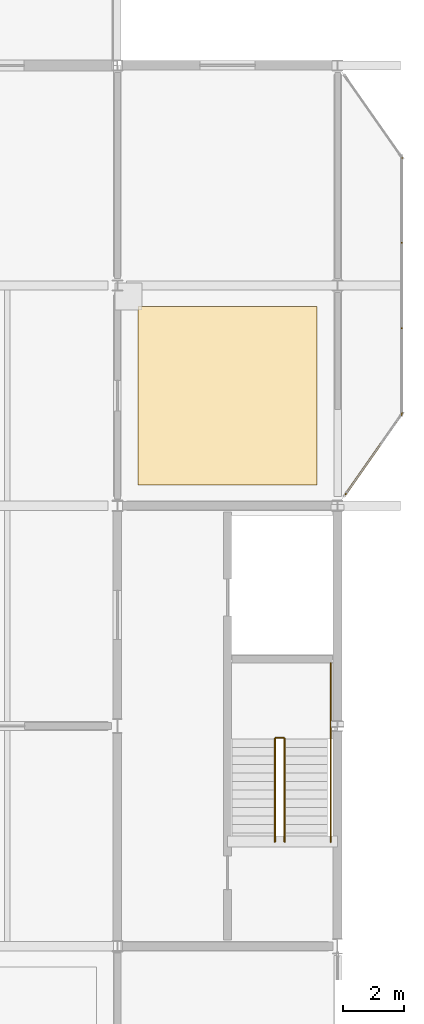
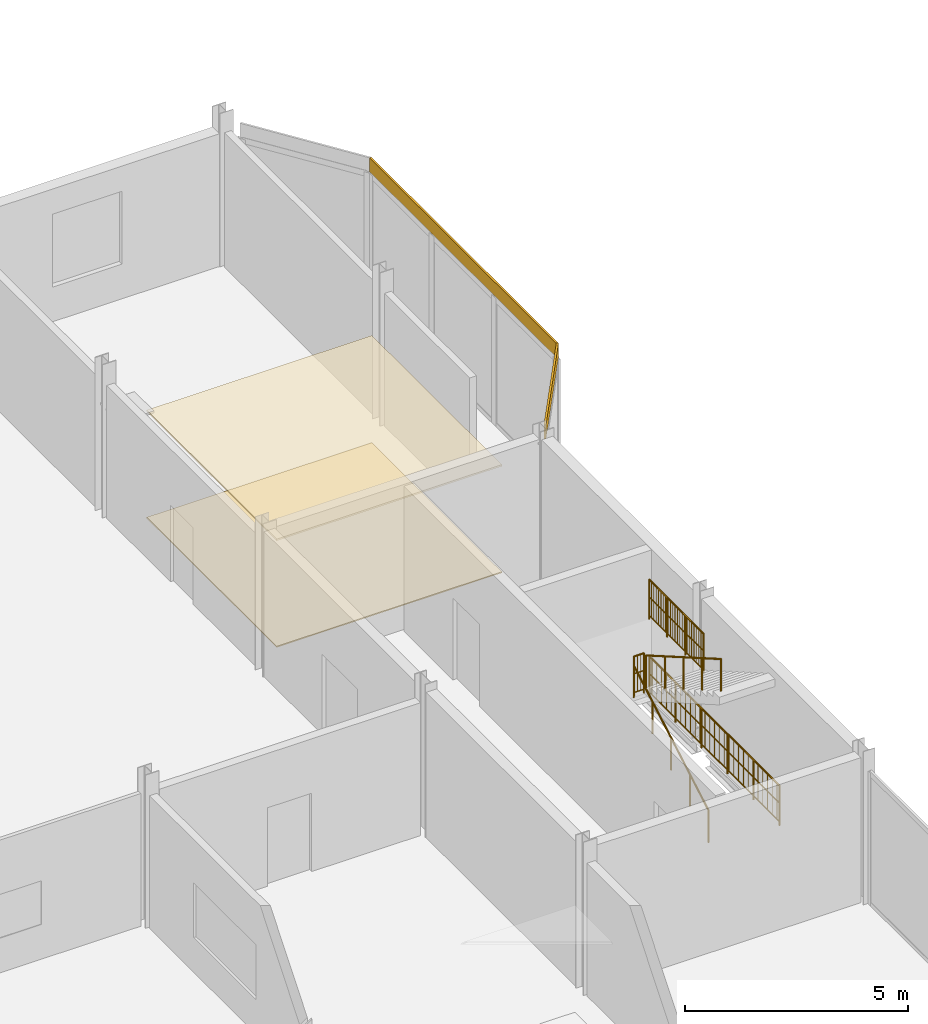
# One storey, part 25 of 26: 5 railings, 4 coverings.
"""IFC4 building model written with IfcOpenShell, lengths in metres."""

from ifc_helpers import new_model, si_unit, direction, frame, frame_2d, origin, origin_2d, place, context, subcontext, project, spatial, polyline, rectangle, circle, outline, extrude, material, layer, layer_set, type_object, element, save


model = new_model("IFC4")

# Units and contexts
model_context = context("Model", 3, precision=1e-05, world=origin(), true_north=direction((0.0, 1.0)))
body_context = subcontext(model_context, "Body", "Model", "MODEL_VIEW")
ifc_project = project(units=[si_unit("LENGTHUNIT", "METRE"), si_unit("AREAUNIT", "SQUARE_METRE"), si_unit("VOLUMEUNIT", "CUBIC_METRE"), si_unit("PLANEANGLEUNIT", "RADIAN"), si_unit("MASSUNIT", "GRAM", prefix="KILO")], contexts=[model_context])

# Site, building, storey
site_placement = place(None, origin())
site = spatial("IfcSite", under=ifc_project, at=site_placement, CompositionType="ELEMENT")
building_placement = place(site_placement, origin())
building = spatial("IfcBuilding", under=site, at=building_placement, Name="Vesperath Aquatics Centre", CompositionType="ELEMENT")
storey_placement = place(building_placement, frame((0.0, 0.0, 19.199951171875)))
storey = spatial("IfcBuildingStorey", under=building, at=storey_placement, Name="L04", CompositionType="ELEMENT", Elevation=19.199951171875)

# Coverings
ifc_material_1 = material(Name="Teal and ochre glazed ceramic majolica frieze", Category="ceramic")
ifc_layer_1 = layer(ifc_material_1, 0.0400390625)
ifc_layer_set_1 = layer_set([ifc_layer_1], Name="Teal and ochre glazed ceramic majolica frieze")
covering_type_1 = type_object("IfcCoveringType", Name="CV-CLD01", PredefinedType="CLADDING", material=ifc_layer_set_1)
covering_1_placement = place(storey_placement, frame((173.052001953125, 21.9599609375, 3.5400390625), z_axis=(0.0, 0.0, 1.0), x_axis=(0.573421667556, 0.81926039278, 0.0)))
element("IfcCovering", 1, at=covering_1_placement, inside=storey, type_object=covering_type_1, Name="East Bow Oriel Majolica Frieze CLD1 L04-S", PredefinedType="CLADDING", context=body_context, shape_type="SweptSolid", body=[
    extrude(rectangle(XDim=3.22265625, YDim=0.050048828125, at=frame_2d((1.611328125, 0.0))), origin(), (0.0, 0.0, 1.0), 0.380126953125),
])
covering_2_placement = place(storey_placement, frame((174.89990234375, 24.60009765625, 3.5400390625), z_axis=(0.0, 0.0, 1.0), x_axis=(0.0, 1.0, 0.0)))
element("IfcCovering", 2, at=covering_2_placement, inside=storey, type_object=covering_type_1, Name="East Bow Oriel Majolica Frieze CLD1 L04-C", PredefinedType="CLADDING", context=body_context, shape_type="SweptSolid", body=[
    extrude(rectangle(XDim=8.39990234375, YDim=0.050048828125, at=frame_2d((4.199951171875, 0.0))), origin(), (0.0, 0.0, 1.0), 0.380126953125),
])
ifc_material_2 = material(Name="Perforated moisture-resistant acoustic mineral-fibre ceiling", Category="gypsum")
ifc_layer_2 = layer(ifc_material_2, 0.044921875)
ifc_layer_set_2 = layer_set([ifc_layer_2], Name="Perforated moisture-resistant acoustic mineral-fibre ceiling")
covering_type_2 = type_object("IfcCoveringType", Name="CV-CLG01", PredefinedType="CEILING", material=ifc_layer_set_2)
covering_3_placement = place(storey_placement, frame((0.0, 0.0, 2.925048828125)))
element("IfcCovering", 3, at=covering_3_placement, inside=storey, type_object=covering_type_2, Name="Acoustic Suspended Ceiling CLG1 L04_AWC", PredefinedType="CEILING", context=body_context, shape_type="SweptSolid", body=[
    extrude(outline(polyline([(166.280029296875, 22.280029296875), (172.1201171875, 22.280029296875), (172.1201171875, 28.1201171875), (166.280029296875, 28.1201171875), (166.280029296875, 22.280029296875)])), origin(), (0.0, 0.0, 1.0), 0.044921875),
])
ifc_material_3 = material(Name="Slip-resistant vitrified ceramic and terrazzo flooring", Category="ceramic")
ifc_layer_3 = layer(ifc_material_3, 0.030029296875)
ifc_layer_set_3 = layer_set([ifc_layer_3], Name="Slip-resistant vitrified ceramic and terrazzo flooring")
covering_type_3 = type_object("IfcCoveringType", Name="CV-FLR01", PredefinedType="FLOORING", material=ifc_layer_set_3)
covering_4_placement = place(storey_placement, origin())
element("IfcCovering", 4, at=covering_4_placement, inside=storey, type_object=covering_type_3, Name="Slip-Resistant Floor Finish FLR1 L04_AWC", PredefinedType="FLOORING", context=body_context, shape_type="SweptSolid", body=[
    extrude(outline(polyline([(166.280029296875, 22.280029296875), (172.1201171875, 22.280029296875), (172.1201171875, 28.1201171875), (166.280029296875, 28.1201171875), (166.280029296875, 22.280029296875)])), origin(), (0.0, 0.0, 1.0), 0.030029296875),
])

# Railings
ifc_material_4 = material(Name="Powder-coated galvanized steel safety guard", Category="steel")
railing_type_1 = type_object("IfcRailingType", Name="RL-GRD01", PredefinedType="GUARDRAIL", material=ifc_material_4)
railing_1_placement = place(storey_placement, frame((170.780029296875, 14.02001953125, 2.10009765625)))
element("IfcRailing", 5, at=railing_1_placement, inside=storey, type_object=railing_type_1, Name="Stair ST6 Half-Landing Slot Guard GR02 L04", PredefinedType="GUARDRAIL", context=body_context, shape_type="SweptSolid", body=[
    extrude(circle(Radius=0.02392578125, at=origin_2d()), frame((0.0, 0.0, 1.0859375), z_axis=(1.0, 0.0, 0.0), x_axis=(0.0, 1.0, 0.0)), (0.0, 0.0, 1.0), 0.260009765625),
    extrude(circle(Radius=0.01611328125, at=origin_2d()), frame((0.0, 0.0, 0.10009765625), z_axis=(1.0, 0.0, 0.0), x_axis=(0.0, 1.0, 0.0)), (0.0, 0.0, 1.0), 0.260009765625),
    extrude(circle(Radius=0.01611328125, at=origin_2d()), frame((0.0, 0.0, 0.610595703125), z_axis=(1.0, 0.0, 0.0), x_axis=(0.0, 1.0, 0.0)), (0.0, 0.0, 1.0), 0.260009765625),
    extrude(circle(Radius=0.009033203125, at=origin_2d()), frame((0.086669921875, 0.0, 0.10009765625)), (0.0, 0.0, 1.0), 0.9619140625),
    extrude(circle(Radius=0.009033203125, at=origin_2d()), frame((0.17333984375, 0.0, 0.10009765625)), (0.0, 0.0, 1.0), 0.9619140625),
    extrude(circle(Radius=0.02197265625, at=origin_2d()), origin(), (0.0, 0.0, 1.0), 1.0859375),
    extrude(circle(Radius=0.02197265625, at=origin_2d()), frame((0.260009765625, 0.0, 0.0)), (0.0, 0.0, 1.0), 1.0859375),
])
railing_2_placement = place(storey_placement, frame((172.580078125, 14.02001953125, 2.10009765625)))
element("IfcRailing", 6, at=railing_2_placement, inside=storey, type_object=railing_type_1, Name="Stair ST6 Half-Landing Wall Guard GR02 L04", PredefinedType="GUARDRAIL", context=body_context, shape_type="SweptSolid", body=[
    extrude(circle(Radius=0.02392578125, at=origin_2d()), frame((0.0, 0.0, 1.0859375), z_axis=(0.0, 1.0, 0.0), x_axis=(-1.0, 0.0, 0.0)), (0.0, 0.0, 1.0), 2.43994140625),
    extrude(circle(Radius=0.01611328125, at=origin_2d()), frame((0.0, 0.0, 0.10009765625), z_axis=(0.0, 1.0, 0.0), x_axis=(-1.0, 0.0, 0.0)), (0.0, 0.0, 1.0), 2.43994140625),
    extrude(circle(Radius=0.01611328125, at=origin_2d()), frame((0.0, 0.0, 0.610595703125), z_axis=(0.0, 1.0, 0.0), x_axis=(-1.0, 0.0, 0.0)), (0.0, 0.0, 1.0), 2.43994140625),
    extrude(circle(Radius=0.009033203125, at=origin_2d()), frame((0.0, 0.106201171875, 0.10009765625)), (0.0, 0.0, 1.0), 0.9619140625),
    extrude(circle(Radius=0.009033203125, at=origin_2d()), frame((0.0, 0.212158203125, 0.10009765625)), (0.0, 0.0, 1.0), 0.9619140625),
    extrude(circle(Radius=0.009033203125, at=origin_2d()), frame((0.0, 0.318359375, 0.10009765625)), (0.0, 0.0, 1.0), 0.9619140625),
    extrude(circle(Radius=0.009033203125, at=origin_2d()), frame((0.0, 0.42431640625, 0.10009765625)), (0.0, 0.0, 1.0), 0.9619140625),
    extrude(circle(Radius=0.009033203125, at=origin_2d()), frame((0.0, 0.530517578125, 0.10009765625)), (0.0, 0.0, 1.0), 0.9619140625),
    extrude(circle(Radius=0.009033203125, at=origin_2d()), frame((0.0, 0.636474609375, 0.10009765625)), (0.0, 0.0, 1.0), 0.9619140625),
    extrude(circle(Radius=0.009033203125, at=origin_2d()), frame((0.0, 0.74267578125, 0.10009765625)), (0.0, 0.0, 1.0), 0.9619140625),
    extrude(circle(Radius=0.009033203125, at=origin_2d()), frame((0.0, 0.8486328125, 0.10009765625)), (0.0, 0.0, 1.0), 0.9619140625),
    extrude(circle(Radius=0.009033203125, at=origin_2d()), frame((0.0, 0.954833984375, 0.10009765625)), (0.0, 0.0, 1.0), 0.9619140625),
    extrude(circle(Radius=0.009033203125, at=origin_2d()), frame((0.0, 1.060791015625, 0.10009765625)), (0.0, 0.0, 1.0), 0.9619140625),
    extrude(circle(Radius=0.009033203125, at=origin_2d()), frame((0.0, 1.1669921875, 0.10009765625)), (0.0, 0.0, 1.0), 0.9619140625),
    extrude(circle(Radius=0.009033203125, at=origin_2d()), frame((0.0, 1.27294921875, 0.10009765625)), (0.0, 0.0, 1.0), 0.9619140625),
    extrude(circle(Radius=0.009033203125, at=origin_2d()), frame((0.0, 1.379150390625, 0.10009765625)), (0.0, 0.0, 1.0), 0.9619140625),
    extrude(circle(Radius=0.009033203125, at=origin_2d()), frame((0.0, 1.485107421875, 0.10009765625)), (0.0, 0.0, 1.0), 0.9619140625),
    extrude(circle(Radius=0.009033203125, at=origin_2d()), frame((0.0, 1.59130859375, 0.10009765625)), (0.0, 0.0, 1.0), 0.9619140625),
    extrude(circle(Radius=0.009033203125, at=origin_2d()), frame((0.0, 1.697265625, 0.10009765625)), (0.0, 0.0, 1.0), 0.9619140625),
    extrude(circle(Radius=0.009033203125, at=origin_2d()), frame((0.0, 1.803466796875, 0.10009765625)), (0.0, 0.0, 1.0), 0.9619140625),
    extrude(circle(Radius=0.009033203125, at=origin_2d()), frame((0.0, 1.909423828125, 0.10009765625)), (0.0, 0.0, 1.0), 0.9619140625),
    extrude(circle(Radius=0.009033203125, at=origin_2d()), frame((0.0, 2.015625, 0.10009765625)), (0.0, 0.0, 1.0), 0.9619140625),
    extrude(circle(Radius=0.009033203125, at=origin_2d()), frame((0.0, 2.12158203125, 0.10009765625)), (0.0, 0.0, 1.0), 0.9619140625),
    extrude(circle(Radius=0.009033203125, at=origin_2d()), frame((0.0, 2.227783203125, 0.10009765625)), (0.0, 0.0, 1.0), 0.9619140625),
    extrude(circle(Radius=0.009033203125, at=origin_2d()), frame((0.0, 2.333740234375, 0.10009765625)), (0.0, 0.0, 1.0), 0.9619140625),
    extrude(circle(Radius=0.02197265625, at=origin_2d()), origin(), (0.0, 0.0, 1.0), 1.0859375),
    extrude(circle(Radius=0.02197265625, at=origin_2d()), frame((0.0, 0.813232421875, 0.0)), (0.0, 0.0, 1.0), 1.0859375),
    extrude(circle(Radius=0.02197265625, at=origin_2d()), frame((0.0, 1.626708984375, 0.0)), (0.0, 0.0, 1.0), 1.0859375),
    extrude(circle(Radius=0.02197265625, at=origin_2d()), frame((0.0, 2.43994140625, 0.0)), (0.0, 0.0, 1.0), 1.0859375),
])
railing_3_placement = place(storey_placement, frame((172.580078125, 10.60009765625, 0.0)))
element("IfcRailing", 7, at=railing_3_placement, inside=storey, type_object=railing_type_1, Name="Stair ST6 Shaft Side Guard GR02 L04", PredefinedType="GUARDRAIL", context=body_context, shape_type="SweptSolid", body=[
    extrude(circle(Radius=0.02392578125, at=origin_2d()), frame((0.0, 0.0, 1.0859375), z_axis=(0.0, 1.0, 0.0), x_axis=(-1.0, 0.0, 0.0)), (0.0, 0.0, 1.0), 5.83984375),
    extrude(circle(Radius=0.01611328125, at=origin_2d()), frame((0.0, 0.0, 0.10009765625), z_axis=(0.0, 1.0, 0.0), x_axis=(-1.0, 0.0, 0.0)), (0.0, 0.0, 1.0), 5.83984375),
    extrude(circle(Radius=0.01611328125, at=origin_2d()), frame((0.0, 0.0, 0.610595703125), z_axis=(0.0, 1.0, 0.0), x_axis=(-1.0, 0.0, 0.0)), (0.0, 0.0, 1.0), 5.83984375),
    extrude(circle(Radius=0.009033203125, at=origin_2d()), frame((0.0, 0.108154296875, 0.10009765625)), (0.0, 0.0, 1.0), 0.9619140625),
    extrude(circle(Radius=0.009033203125, at=origin_2d()), frame((0.0, 0.324462890625, 0.10009765625)), (0.0, 0.0, 1.0), 0.9619140625),
    extrude(circle(Radius=0.009033203125, at=origin_2d()), frame((0.0, 0.540771484375, 0.10009765625)), (0.0, 0.0, 1.0), 0.9619140625),
    extrude(circle(Radius=0.009033203125, at=origin_2d()), frame((0.0, 0.757080078125, 0.10009765625)), (0.0, 0.0, 1.0), 0.9619140625),
    extrude(circle(Radius=0.009033203125, at=origin_2d()), frame((0.0, 0.973388671875, 0.10009765625)), (0.0, 0.0, 1.0), 0.9619140625),
    extrude(circle(Radius=0.009033203125, at=origin_2d()), frame((0.0, 1.189697265625, 0.10009765625)), (0.0, 0.0, 1.0), 0.9619140625),
    extrude(circle(Radius=0.009033203125, at=origin_2d()), frame((0.0, 1.406005859375, 0.10009765625)), (0.0, 0.0, 1.0), 0.9619140625),
    extrude(circle(Radius=0.009033203125, at=origin_2d()), frame((0.0, 1.6220703125, 0.10009765625)), (0.0, 0.0, 1.0), 0.9619140625),
    extrude(circle(Radius=0.009033203125, at=origin_2d()), frame((0.0, 1.83837890625, 0.10009765625)), (0.0, 0.0, 1.0), 0.9619140625),
    extrude(circle(Radius=0.009033203125, at=origin_2d()), frame((0.0, 2.0546875, 0.10009765625)), (0.0, 0.0, 1.0), 0.9619140625),
    extrude(circle(Radius=0.009033203125, at=origin_2d()), frame((0.0, 2.27099609375, 0.10009765625)), (0.0, 0.0, 1.0), 0.9619140625),
    extrude(circle(Radius=0.009033203125, at=origin_2d()), frame((0.0, 2.4873046875, 0.10009765625)), (0.0, 0.0, 1.0), 0.9619140625),
    extrude(circle(Radius=0.009033203125, at=origin_2d()), frame((0.0, 2.70361328125, 0.10009765625)), (0.0, 0.0, 1.0), 0.9619140625),
    extrude(circle(Radius=0.009033203125, at=origin_2d()), frame((0.0, 2.919921875, 0.10009765625)), (0.0, 0.0, 1.0), 0.9619140625),
    extrude(circle(Radius=0.009033203125, at=origin_2d()), frame((0.0, 3.13623046875, 0.10009765625)), (0.0, 0.0, 1.0), 0.9619140625),
    extrude(circle(Radius=0.009033203125, at=origin_2d()), frame((0.0, 3.3525390625, 0.10009765625)), (0.0, 0.0, 1.0), 0.9619140625),
    extrude(circle(Radius=0.009033203125, at=origin_2d()), frame((0.0, 3.56884765625, 0.10009765625)), (0.0, 0.0, 1.0), 0.9619140625),
    extrude(circle(Radius=0.009033203125, at=origin_2d()), frame((0.0, 3.78515625, 0.10009765625)), (0.0, 0.0, 1.0), 0.9619140625),
    extrude(circle(Radius=0.009033203125, at=origin_2d()), frame((0.0, 4.00146484375, 0.10009765625)), (0.0, 0.0, 1.0), 0.9619140625),
    extrude(circle(Radius=0.009033203125, at=origin_2d()), frame((0.0, 4.2177734375, 0.10009765625)), (0.0, 0.0, 1.0), 0.9619140625),
    extrude(circle(Radius=0.009033203125, at=origin_2d()), frame((0.0, 4.433837890625, 0.10009765625)), (0.0, 0.0, 1.0), 0.9619140625),
    extrude(circle(Radius=0.009033203125, at=origin_2d()), frame((0.0, 4.650146484375, 0.10009765625)), (0.0, 0.0, 1.0), 0.9619140625),
    extrude(circle(Radius=0.009033203125, at=origin_2d()), frame((0.0, 4.866455078125, 0.10009765625)), (0.0, 0.0, 1.0), 0.9619140625),
    extrude(circle(Radius=0.009033203125, at=origin_2d()), frame((0.0, 5.082763671875, 0.10009765625)), (0.0, 0.0, 1.0), 0.9619140625),
    extrude(circle(Radius=0.009033203125, at=origin_2d()), frame((0.0, 5.299072265625, 0.10009765625)), (0.0, 0.0, 1.0), 0.9619140625),
    extrude(circle(Radius=0.009033203125, at=origin_2d()), frame((0.0, 5.515380859375, 0.10009765625)), (0.0, 0.0, 1.0), 0.9619140625),
    extrude(circle(Radius=0.009033203125, at=origin_2d()), frame((0.0, 5.731689453125, 0.10009765625)), (0.0, 0.0, 1.0), 0.9619140625),
    extrude(circle(Radius=0.02197265625, at=origin_2d()), origin(), (0.0, 0.0, 1.0), 1.0859375),
    extrude(circle(Radius=0.02197265625, at=origin_2d()), frame((0.0, 1.16796875, 0.0)), (0.0, 0.0, 1.0), 1.0859375),
    extrude(circle(Radius=0.02197265625, at=origin_2d()), frame((0.0, 2.3359375, 0.0)), (0.0, 0.0, 1.0), 1.0859375),
    extrude(circle(Radius=0.02197265625, at=origin_2d()), frame((0.0, 3.50390625, 0.0)), (0.0, 0.0, 1.0), 1.0859375),
    extrude(circle(Radius=0.02197265625, at=origin_2d()), frame((0.0, 4.671875, 0.0)), (0.0, 0.0, 1.0), 1.0859375),
    extrude(circle(Radius=0.02197265625, at=origin_2d()), frame((0.0, 5.83984375, 0.0)), (0.0, 0.0, 1.0), 1.0859375),
])
ifc_material_5 = material(Name="Brushed stainless steel tubular handrail", Category="steel")
railing_type_2 = type_object("IfcRailingType", Name="RL-HND01", PredefinedType="HANDRAIL", material=ifc_material_5)
railing_4_placement = place(storey_placement, frame((170.75, 10.6201171875, 0.16162109375)))
element("IfcRailing", 8, at=railing_4_placement, inside=storey, type_object=railing_type_2, Name="Stair ST6 Flight 1 Handrail HR01 L04", PredefinedType="HANDRAIL", context=body_context, shape_type="SweptSolid", body=[
    extrude(circle(Radius=0.02392578125, at=origin_2d()), frame((0.0, 0.0, 0.8759765625), z_axis=(0.0, 0.866175107563, 0.499740615757), x_axis=(-1.0, 0.0, 0.0)), (0.0, 0.0, 1.0), 3.87890625),
    extrude(circle(Radius=0.02197265625, at=origin_2d()), origin(), (0.0, 0.0, 1.0), 0.8759765625),
    extrude(circle(Radius=0.02197265625, at=origin_2d()), frame((0.0, 0.83984375, 0.484619140625)), (0.0, 0.0, 1.0), 0.8759765625),
    extrude(circle(Radius=0.02197265625, at=origin_2d()), frame((0.0, 1.679931640625, 0.96923828125)), (0.0, 0.0, 1.0), 0.8759765625),
    extrude(circle(Radius=0.02197265625, at=origin_2d()), frame((0.0, 2.52001953125, 1.453857421875)), (0.0, 0.0, 1.0), 0.8759765625),
    extrude(circle(Radius=0.02197265625, at=origin_2d()), frame((0.0, 3.35986328125, 1.9384765625)), (0.0, 0.0, 1.0), 0.8759765625),
])
railing_5_placement = place(storey_placement, frame((171.070068359375, 13.97998046875, 2.261474609375)))
element("IfcRailing", 9, at=railing_5_placement, inside=storey, type_object=railing_type_2, Name="Stair ST6 Flight 2 Handrail HR01 L04", PredefinedType="HANDRAIL", context=body_context, shape_type="SweptSolid", body=[
    extrude(circle(Radius=0.02392578125, at=origin_2d()), frame((0.0, 0.0, 0.8759765625), z_axis=(0.0, -0.866175107563, 0.499740615757), x_axis=(1.0, 0.0, 0.0)), (0.0, 0.0, 1.0), 3.87890625),
    extrude(circle(Radius=0.02197265625, at=origin_2d()), origin(), (0.0, 0.0, 1.0), 0.8759765625),
    extrude(circle(Radius=0.02197265625, at=origin_2d()), frame((0.0, -0.83984375, 0.484619140625)), (0.0, 0.0, 1.0), 0.8759765625),
    extrude(circle(Radius=0.02197265625, at=origin_2d()), frame((0.0, -1.679931640625, 0.96923828125)), (0.0, 0.0, 1.0), 0.8759765625),
    extrude(circle(Radius=0.02197265625, at=origin_2d()), frame((0.0, -2.52001953125, 1.453857421875)), (0.0, 0.0, 1.0), 0.8759765625),
    extrude(circle(Radius=0.02197265625, at=origin_2d()), frame((0.0, -3.35986328125, 1.9384765625)), (0.0, 0.0, 1.0), 0.8759765625),
])

save(model, "model.ifc")
